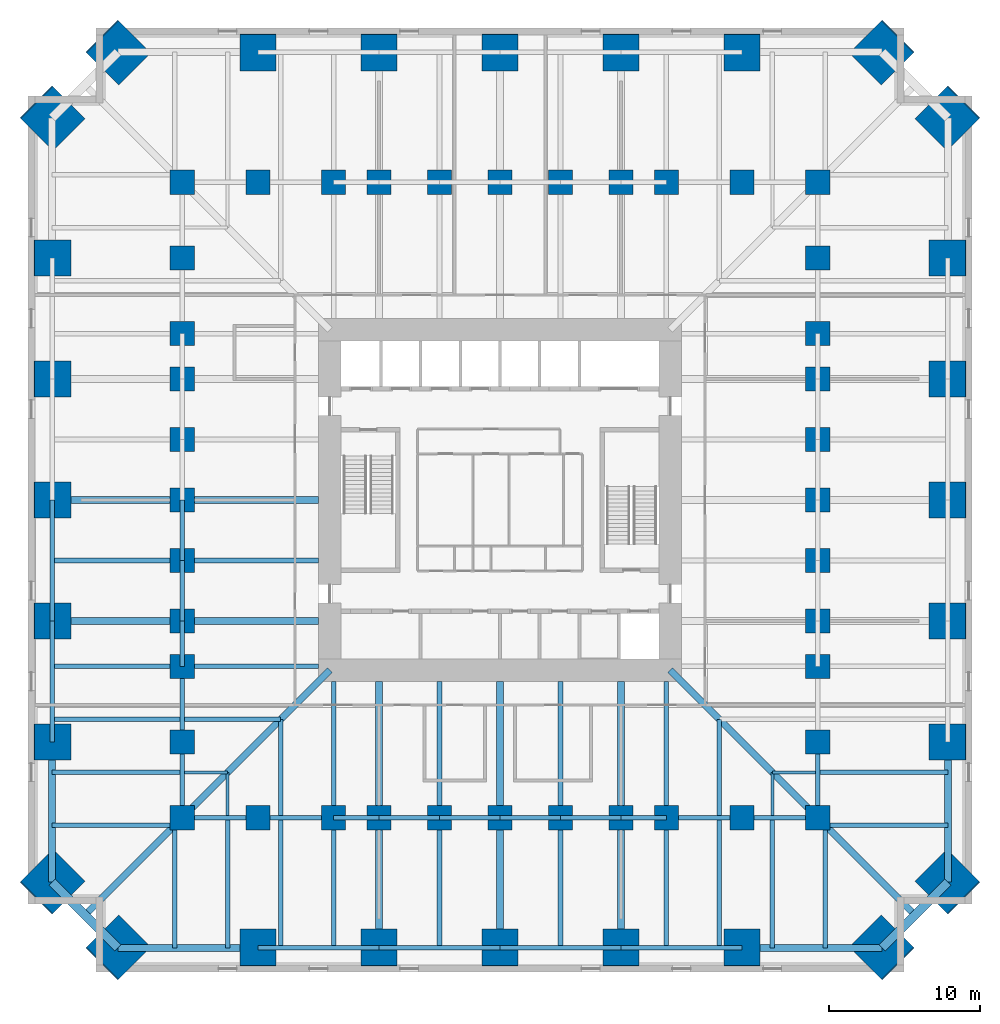
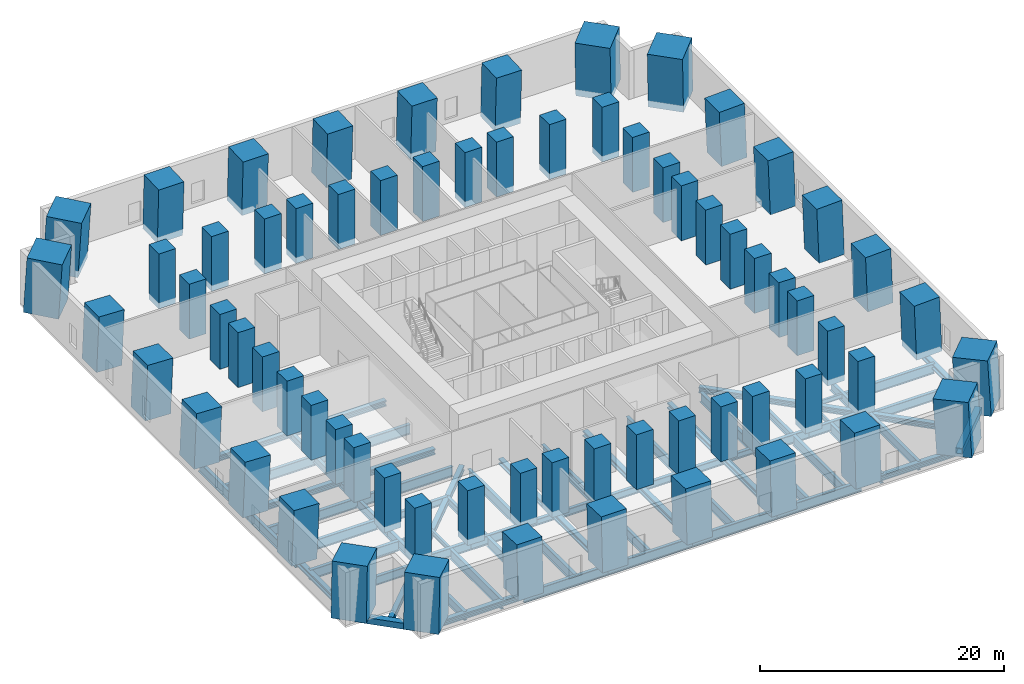
# One storey, part 1 of 8: 72 beams, 68 columns.
"""IFC4 building model written with IfcOpenShell, lengths in metres."""

from ifc_helpers import new_model, si_unit, direction, frame, origin, origin_2d, place, context, subcontext, project, spatial, rectangle, hollow_rectangle, i_section, extrude, material, material_profile, profile_set, type_object, element, save


model = new_model("IFC4")

# Units and contexts
model_context = context("Model", 3, precision=1e-05, world=origin(), true_north=direction((0.0, 1.0)))
body_context = subcontext(model_context, "Body", "Model", "MODEL_VIEW")
ifc_project = project(units=[si_unit("LENGTHUNIT", "METRE"), si_unit("AREAUNIT", "SQUARE_METRE"), si_unit("VOLUMEUNIT", "CUBIC_METRE"), si_unit("PLANEANGLEUNIT", "RADIAN"), si_unit("MASSUNIT", "GRAM", prefix="KILO")], contexts=[model_context])

# Site, building, storey
site_placement = place(None, origin())
site = spatial("IfcSite", under=ifc_project, at=site_placement, CompositionType="ELEMENT")
building_placement = place(site_placement, origin())
building = spatial("IfcBuilding", under=site, at=building_placement, Name="Peilmerk Tower", CompositionType="ELEMENT")
storey_placement = place(building_placement, frame((0.0, 0.0, 32.0)))
storey = spatial("IfcBuildingStorey", under=building, at=storey_placement, Name="L06", CompositionType="ELEMENT", Elevation=32.0)

# Columns
ifc_material_1 = material(Name="Concrete C90/105", Category="concrete")
ifc_material_profile_1 = material_profile(ifc_material_1, rectangle(XDim=3.0, YDim=3.0, at=origin_2d()), Name="RC 3000x3000")
ifc_profile_set_1 = profile_set([ifc_material_profile_1], Name="Concrete C90/105")
column_type_1 = type_object("IfcColumnType", Name="MC1 3000x3000 encased mega column", PredefinedType="COLUMN", material=ifc_profile_set_1)
for number, where, z_axis, x_axis, name in (
    (1, (25.25634765625, 29.6064453125, 0.0), (-0.040240079721, -0.040240079721, 0.998379422849), (0.707106781187, -0.707106781187, 0.0), "Mega column MC1 NE_N L06"),
    (2, (29.6064453125, 25.25634765625, 0.0), (-0.040240079721, -0.040240079721, 0.998379422849), (0.707106781187, -0.707106781187, 0.0), "Mega column MC1 NE_E L06"),
    (3, (29.6064453125, -25.25634765625, 0.0), (-0.040240079721, 0.040240079721, 0.998379422849), (-0.707106781187, -0.707106781187, 0.0), "Mega column MC1 SE_E L06"),
    (4, (25.25634765625, -29.6064453125, 0.0), (-0.040240079721, 0.040240079721, 0.998379422849), (-0.707106781187, -0.707106781187, 0.0), "Mega column MC1 SE_S L06"),
    (5, (-25.25634765625, -29.6064453125, 0.0), (0.040240079721, 0.040240079721, 0.998379422849), (-0.707106781187, 0.707106781187, 0.0), "Mega column MC1 SW_S L06"),
    (6, (-29.6064453125, -25.25634765625, 0.0), (0.040240079721, 0.040240079721, 0.998379422849), (-0.707106781187, 0.707106781187, 0.0), "Mega column MC1 SW_W L06"),
    (7, (-29.6064453125, 25.25634765625, 0.0), (0.040240079721, -0.040240079721, 0.998379422849), (0.707106781187, 0.707106781187, 0.0), "Mega column MC1 NW_W L06"),
    (8, (-25.25634765625, 29.6064453125, 0.0), (0.040240079721, -0.040240079721, 0.998379422849), (0.707106781187, 0.707106781187, 0.0), "Mega column MC1 NW_N L06"),
):
    element("IfcColumn", number, at=place(storey_placement, frame(where, z_axis=z_axis, x_axis=x_axis)), inside=storey, type_object=column_type_1, Name=name, PredefinedType="COLUMN", context=body_context, shape_type="SweptSolid", body=[
        extrude(rectangle(XDim=3.0, YDim=3.0, at=origin_2d()), origin(), (0.0, 0.0, 1.0), 5.509033203125),
    ])
ifc_material_profile_2 = material_profile(ifc_material_1, rectangle(XDim=2.39990234375, YDim=2.39990234375, at=origin_2d()), Name="RC 2400x2400")
ifc_profile_set_2 = profile_set([ifc_material_profile_2], Name="Concrete C90/105")
column_type_2 = type_object("IfcColumnType", Name="SC1 2400x2400 encased perimeter column", PredefinedType="COLUMN", material=ifc_profile_set_2)
for number, where, z_axis, x_axis, name in (
    (9, (0.0, 29.6064453125, 0.0), (0.0, -0.040272698997, 0.999188725775), (1.0, 0.0, 0.0), "Perimeter column N+0 L06"),
    (10, (8.0, 29.6064453125, 0.0), (0.0, -0.040272698997, 0.999188725775), (1.0, 0.0, 0.0), "Perimeter column N-8 L06"),
    (11, (-8.0, 29.6064453125, 0.0), (0.0, -0.040272698997, 0.999188725775), (1.0, 0.0, 0.0), "Perimeter column N+8 L06"),
    (12, (16.0, 29.6064453125, 0.0), (0.0, -0.040272698997, 0.999188725775), (1.0, 0.0, 0.0), "Perimeter column N-16 L06"),
    (13, (-16.0, 29.6064453125, 0.0), (0.0, -0.040272698997, 0.999188725775), (1.0, 0.0, 0.0), "Perimeter column N+16 L06"),
    (14, (29.6064453125, 0.0, 0.0), (-0.040272698997, 0.0, 0.999188725775), (0.0, -1.0, 0.0), "Perimeter column E+0 L06"),
    (15, (29.6064453125, -8.0, 0.0), (-0.040272698997, 0.0, 0.999188725775), (0.0, -1.0, 0.0), "Perimeter column E-8 L06"),
    (16, (29.6064453125, 8.0, 0.0), (-0.040272698997, 0.0, 0.999188725775), (0.0, -1.0, 0.0), "Perimeter column E+8 L06"),
    (17, (29.6064453125, -16.0, 0.0), (-0.040272698997, 0.0, 0.999188725775), (0.0, -1.0, 0.0), "Perimeter column E-16 L06"),
    (18, (29.6064453125, 16.0, 0.0), (-0.040272698997, 0.0, 0.999188725775), (0.0, -1.0, 0.0), "Perimeter column E+16 L06"),
    (19, (0.0, -29.6064453125, 0.0), (0.0, 0.040272698997, 0.999188725775), (-1.0, 0.0, 0.0), "Perimeter column S+0 L06"),
    (20, (-8.0, -29.6064453125, 0.0), (0.0, 0.040272698997, 0.999188725775), (-1.0, 0.0, 0.0), "Perimeter column S-8 L06"),
    (21, (8.0, -29.6064453125, 0.0), (0.0, 0.040272698997, 0.999188725775), (-1.0, 0.0, 0.0), "Perimeter column S+8 L06"),
    (22, (-16.0, -29.6064453125, 0.0), (0.0, 0.040272698997, 0.999188725775), (-1.0, 0.0, 0.0), "Perimeter column S-16 L06"),
    (23, (16.0, -29.6064453125, 0.0), (0.0, 0.040272698997, 0.999188725775), (-1.0, 0.0, 0.0), "Perimeter column S+16 L06"),
    (24, (-29.6064453125, 0.0, 0.0), (0.040272698997, 0.0, 0.999188725775), (0.0, 1.0, 0.0), "Perimeter column W+0 L06"),
    (25, (-29.6064453125, 8.0, 0.0), (0.040272698997, 0.0, 0.999188725775), (0.0, 1.0, 0.0), "Perimeter column W-8 L06"),
    (26, (-29.6064453125, -8.0, 0.0), (0.040272698997, 0.0, 0.999188725775), (0.0, 1.0, 0.0), "Perimeter column W+8 L06"),
    (27, (-29.6064453125, 16.0, 0.0), (0.040272698997, 0.0, 0.999188725775), (0.0, 1.0, 0.0), "Perimeter column W-16 L06"),
    (28, (-29.6064453125, -16.0, 0.0), (0.040272698997, 0.0, 0.999188725775), (0.0, 1.0, 0.0), "Perimeter column W+16 L06"),
):
    element("IfcColumn", number, at=place(storey_placement, frame(where, z_axis=z_axis, x_axis=x_axis)), inside=storey, type_object=column_type_2, Name=name, PredefinedType="COLUMN", context=body_context, shape_type="SweptSolid", body=[
        extrude(rectangle(XDim=2.39990234375, YDim=2.39990234375, at=origin_2d()), origin(), (0.0, 0.0, 1.0), 5.50439453125),
    ])
ifc_material_profile_3 = material_profile(ifc_material_1, rectangle(XDim=1.60009765625, YDim=1.60009765625, at=origin_2d()), Name="RC 1600x1600")
ifc_profile_set_3 = profile_set([ifc_material_profile_3], Name="Concrete C90/105")
column_type_3 = type_object("IfcColumnType", Name="SC2 1600x1600 encased interior column", PredefinedType="COLUMN", material=ifc_profile_set_3)
for number, where, z_axis, x_axis, name in (
    (29, (0.0, 21.0, 0.0), (0.0, 0.0, 1.0), (1.0, 0.0, 0.0), "Interior column N+0 L06"),
    (30, (4.0, 21.0, 0.0), (0.0, 0.0, 1.0), (1.0, 0.0, 0.0), "Interior column N-4 L06"),
    (31, (-4.0, 21.0, 0.0), (0.0, 0.0, 1.0), (1.0, 0.0, 0.0), "Interior column N+4 L06"),
    (32, (8.0, 21.0, 0.0), (0.0, 0.0, 1.0), (1.0, 0.0, 0.0), "Interior column N-8 L06"),
    (33, (-8.0, 21.0, 0.0), (0.0, 0.0, 1.0), (1.0, 0.0, 0.0), "Interior column N+8 L06"),
    (34, (11.0, 21.0, 0.0), (0.0, 0.0, 1.0), (1.0, 0.0, 0.0), "Interior column N-11 L06"),
    (35, (-11.0, 21.0, 0.0), (0.0, 0.0, 1.0), (1.0, 0.0, 0.0), "Interior column N+11 L06"),
    (36, (16.0, 21.0, 0.0), (0.0, 0.0, 1.0), (1.0, 0.0, 0.0), "Interior column N-16 L06"),
    (37, (-16.0, 21.0, 0.0), (0.0, 0.0, 1.0), (1.0, 0.0, 0.0), "Interior column N+16 L06"),
    (38, (21.0, 0.0, 0.0), (0.0, 0.0, 1.0), (1.0, 0.0, 0.0), "Interior column E+0 L06"),
    (39, (21.0, -4.0, 0.0), (0.0, 0.0, 1.0), (1.0, 0.0, 0.0), "Interior column E-4 L06"),
    (40, (21.0, 4.0, 0.0), (0.0, 0.0, 1.0), (1.0, 0.0, 0.0), "Interior column E+4 L06"),
    (41, (21.0, -8.0, 0.0), (0.0, 0.0, 1.0), (1.0, 0.0, 0.0), "Interior column E-8 L06"),
    (42, (21.0, 8.0, 0.0), (0.0, 0.0, 1.0), (1.0, 0.0, 0.0), "Interior column E+8 L06"),
    (43, (21.0, -11.0, 0.0), (0.0, 0.0, 1.0), (1.0, 0.0, 0.0), "Interior column E-11 L06"),
    (44, (21.0, 11.0, 0.0), (0.0, 0.0, 1.0), (1.0, 0.0, 0.0), "Interior column E+11 L06"),
    (45, (21.0, -16.0, 0.0), (0.0, 0.0, 1.0), (1.0, 0.0, 0.0), "Interior column E-16 L06"),
    (46, (21.0, 16.0, 0.0), (0.0, 0.0, 1.0), (1.0, 0.0, 0.0), "Interior column E+16 L06"),
    (47, (0.0, -21.0, 0.0), (0.0, 0.0, 1.0), (1.0, 0.0, 0.0), "Interior column S+0 L06"),
    (48, (-4.0, -21.0, 0.0), (0.0, 0.0, 1.0), (1.0, 0.0, 0.0), "Interior column S-4 L06"),
    (49, (4.0, -21.0, 0.0), (0.0, 0.0, 1.0), (1.0, 0.0, 0.0), "Interior column S+4 L06"),
    (50, (-8.0, -21.0, 0.0), (0.0, 0.0, 1.0), (1.0, 0.0, 0.0), "Interior column S-8 L06"),
    (51, (8.0, -21.0, 0.0), (0.0, 0.0, 1.0), (1.0, 0.0, 0.0), "Interior column S+8 L06"),
    (52, (-11.0, -21.0, 0.0), (0.0, 0.0, 1.0), (1.0, 0.0, 0.0), "Interior column S-11 L06"),
    (53, (11.0, -21.0, 0.0), (0.0, 0.0, 1.0), (1.0, 0.0, 0.0), "Interior column S+11 L06"),
    (54, (-16.0, -21.0, 0.0), (0.0, 0.0, 1.0), (1.0, 0.0, 0.0), "Interior column S-16 L06"),
    (55, (16.0, -21.0, 0.0), (0.0, 0.0, 1.0), (1.0, 0.0, 0.0), "Interior column S+16 L06"),
    (56, (-21.0, 0.0, 0.0), (0.0, 0.0, 1.0), (1.0, 0.0, 0.0), "Interior column W+0 L06"),
    (57, (-21.0, 4.0, 0.0), (0.0, 0.0, 1.0), (1.0, 0.0, 0.0), "Interior column W-4 L06"),
    (58, (-21.0, -4.0, 0.0), (0.0, 0.0, 1.0), (1.0, 0.0, 0.0), "Interior column W+4 L06"),
    (59, (-21.0, 8.0, 0.0), (0.0, 0.0, 1.0), (1.0, 0.0, 0.0), "Interior column W-8 L06"),
    (60, (-21.0, -8.0, 0.0), (0.0, 0.0, 1.0), (1.0, 0.0, 0.0), "Interior column W+8 L06"),
    (61, (-21.0, 11.0, 0.0), (0.0, 0.0, 1.0), (1.0, 0.0, 0.0), "Interior column W-11 L06"),
    (62, (-21.0, -11.0, 0.0), (0.0, 0.0, 1.0), (1.0, 0.0, 0.0), "Interior column W+11 L06"),
    (63, (-21.0, 16.0, 0.0), (0.0, 0.0, 1.0), (1.0, 0.0, 0.0), "Interior column W-16 L06"),
    (64, (-21.0, -16.0, 0.0), (0.0, 0.0, 1.0), (1.0, 0.0, 0.0), "Interior column W+16 L06"),
    (65, (21.0, 21.0, 0.0), (0.0, 0.0, 1.0), (1.0, 0.0, 0.0), "Interior column NE L06"),
    (66, (21.0, -21.0, 0.0), (0.0, 0.0, 1.0), (1.0, 0.0, 0.0), "Interior column SE L06"),
    (67, (-21.0, -21.0, 0.0), (0.0, 0.0, 1.0), (1.0, 0.0, 0.0), "Interior column SW L06"),
    (68, (-21.0, 21.0, 0.0), (0.0, 0.0, 1.0), (1.0, 0.0, 0.0), "Interior column NW L06"),
):
    element("IfcColumn", number, at=place(storey_placement, frame(where, z_axis=z_axis, x_axis=x_axis)), inside=storey, type_object=column_type_3, Name=name, PredefinedType="COLUMN", context=body_context, shape_type="SweptSolid", body=[
        extrude(rectangle(XDim=1.60009765625, YDim=1.60009765625, at=origin_2d()), origin(), (0.0, 0.0, 1.0), 5.5),
    ])

# Beams
ifc_material_2 = material(Name="Steel S355", Category="steel")
ifc_material_profile_4 = material_profile(ifc_material_2, i_section(OverallWidth=0.302001953125, OverallDepth=1.008056640625, WebThickness=0.02099609375, FlangeThickness=0.0400390625, at=origin_2d()), Name="HEM 1000")
ifc_profile_set_4 = profile_set([ifc_material_profile_4], Name="Steel S355")
beam_type_1 = type_object("IfcBeamType", Name="B1 HEM 1000 edge beam", PredefinedType="SPANDREL", material=ifc_profile_set_4)
for number, where, z_axis, x_axis, name in (
    (69, (-16.0, -29.6064453125, -0.7041015625), (1.0, 0.0, 0.0), (0.0, 1.0, 0.0), "Edge beam L06"),
    (70, (-8.0, -29.6064453125, -0.7041015625), (1.0, 0.0, 0.0), (0.0, 1.0, 0.0), "Edge beam L06"),
    (71, (0.0, -29.6064453125, -0.7041015625), (1.0, 0.0, 0.0), (0.0, 1.0, 0.0), "Edge beam L06"),
    (72, (8.0, -29.6064453125, -0.7041015625), (1.0, 0.0, 0.0), (0.0, 1.0, 0.0), "Edge beam L06"),
    (73, (-29.6064453125, 0.0, -0.7041015625), (0.0, -1.0, 0.0), (1.0, 0.0, 0.0), "Edge beam L06"),
    (74, (-29.6064453125, -8.0, -0.7041015625), (0.0, -1.0, 0.0), (1.0, 0.0, 0.0), "Edge beam L06"),
):
    element("IfcBeam", number, at=place(storey_placement, frame(where, z_axis=z_axis, x_axis=x_axis)), inside=storey, type_object=beam_type_1, Name=name, PredefinedType="SPANDREL", context=body_context, shape_type="SweptSolid", body=[
        extrude(i_section(OverallWidth=0.302001953125, OverallDepth=1.008056640625, WebThickness=0.02099609375, FlangeThickness=0.0400390625, at=origin_2d()), origin(), (0.0, 0.0, 1.0), 8.0),
    ])
ifc_material_profile_5 = material_profile(ifc_material_2, i_section(OverallWidth=0.300048828125, OverallDepth=0.989990234375, WebThickness=0.0166015625, FlangeThickness=0.031005859375, at=origin_2d()), Name="HEA 1000")
ifc_profile_set_5 = profile_set([ifc_material_profile_5], Name="Steel S355")
beam_type_2 = type_object("IfcBeamType", Name="B14 HEA 1000 floor girder", PredefinedType="BEAM", material=ifc_profile_set_5)
for number, where, z_axis, x_axis, name in (
    (75, (-11.0, -21.0, -0.695068359375), (0.0, -1.0, 0.0), (1.0, 0.0, 0.0), "Floor beam L06"),
    (76, (-4.0, -21.0, -0.695068359375), (0.0, -1.0, 0.0), (1.0, 0.0, 0.0), "Floor beam L06"),
    (77, (4.0, -21.0, -0.695068359375), (0.0, -1.0, 0.0), (1.0, 0.0, 0.0), "Floor beam L06"),
    (78, (11.0, -21.0, -0.695068359375), (0.0, -1.0, 0.0), (1.0, 0.0, 0.0), "Floor beam L06"),
    (79, (-21.0, -4.0, -0.695068359375), (-1.0, 0.0, 0.0), (0.0, -1.0, 0.0), "Floor beam L06"),
    (80, (-21.0, -11.0, -0.695068359375), (-1.0, 0.0, 0.0), (0.0, -1.0, 0.0), "Floor beam L06"),
):
    element("IfcBeam", number, at=place(storey_placement, frame(where, z_axis=z_axis, x_axis=x_axis)), inside=storey, type_object=beam_type_2, Name=name, PredefinedType="BEAM", context=body_context, shape_type="SweptSolid", body=[
        extrude(i_section(OverallWidth=0.300048828125, OverallDepth=0.989990234375, WebThickness=0.0166015625, FlangeThickness=0.031005859375, at=origin_2d()), origin(), (0.0, 0.0, 1.0), 8.6064453125),
    ])
for number, where, z_axis, x_axis, name in (
    (81, (14.5, -21.15087890625, -0.695068359375), (0.0, -1.0, 0.0), (1.0, 0.0, 0.0), "Floor beam L06"),
    (82, (18.0, -21.15087890625, -0.695068359375), (0.0, -1.0, 0.0), (1.0, 0.0, 0.0), "Floor beam L06"),
    (83, (21.15087890625, -18.0, -0.695068359375), (1.0, 0.0, 0.0), (0.0, 1.0, 0.0), "Floor beam L06"),
    (84, (-14.5, -21.15087890625, -0.695068359375), (0.0, -1.0, 0.0), (1.0, 0.0, 0.0), "Floor beam L06"),
    (85, (-21.15087890625, -14.5, -0.695068359375), (-1.0, 0.0, 0.0), (0.0, -1.0, 0.0), "Floor beam L06"),
    (86, (-18.0, -21.15087890625, -0.695068359375), (0.0, -1.0, 0.0), (1.0, 0.0, 0.0), "Floor beam L06"),
    (87, (-21.15087890625, -18.0, -0.695068359375), (-1.0, 0.0, 0.0), (0.0, -1.0, 0.0), "Floor beam L06"),
):
    element("IfcBeam", number, at=place(storey_placement, frame(where, z_axis=z_axis, x_axis=x_axis)), inside=storey, type_object=beam_type_2, Name=name, PredefinedType="BEAM", context=body_context, shape_type="SweptSolid", body=[
        extrude(i_section(OverallWidth=0.300048828125, OverallDepth=0.989990234375, WebThickness=0.0166015625, FlangeThickness=0.031005859375, at=origin_2d()), origin(), (0.0, 0.0, 1.0), 8.45556640625),
    ])
ifc_material_profile_6 = material_profile(ifc_material_2, i_section(OverallWidth=0.300048828125, OverallDepth=0.68994140625, WebThickness=0.014404296875, FlangeThickness=0.027099609375, at=origin_2d()), Name="HEA 700")
ifc_profile_set_6 = profile_set([ifc_material_profile_6], Name="Steel S355")
beam_type_3 = type_object("IfcBeamType", Name="B16 HEA 700 floor beam", PredefinedType="BEAM", material=ifc_profile_set_6)
for number, where, z_axis, x_axis, name in (
    (88, (14.5, -14.5, -0.544921875), (0.0, -1.0, 0.0), (1.0, 0.0, 0.0), "Floor beam L06"),
    (89, (-14.5, -14.5, -0.544921875), (0.0, -1.0, 0.0), (1.0, 0.0, 0.0), "Floor beam L06"),
    (90, (-14.5, -14.5, -0.544921875), (-1.0, 0.0, 0.0), (0.0, -1.0, 0.0), "Floor beam L06"),
):
    element("IfcBeam", number, at=place(storey_placement, frame(where, z_axis=z_axis, x_axis=x_axis)), inside=storey, type_object=beam_type_3, Name=name, PredefinedType="BEAM", context=body_context, shape_type="SweptSolid", body=[
        extrude(i_section(OverallWidth=0.300048828125, OverallDepth=0.68994140625, WebThickness=0.014404296875, FlangeThickness=0.027099609375, at=origin_2d()), origin(), (0.0, 0.0, 1.0), 6.34912109375),
    ])
ifc_material_3 = material(Name="Steel S460", Category="steel")
ifc_material_profile_7 = material_profile(ifc_material_3, i_section(OverallWidth=0.4541015625, OverallDepth=0.569091796875, WebThickness=0.077880859375, FlangeThickness=0.125, at=origin_2d()), Name="HD 400x1086")
ifc_profile_set_7 = profile_set([ifc_material_profile_7], Name="Steel S460")
beam_type_4 = type_object("IfcBeamType", Name="B17 HD 400x1086 edge beam", PredefinedType="SPANDREL", material=ifc_profile_set_7)
for number, where, z_axis, x_axis, name in (
    (91, (29.6064453125, -25.25634765625, -0.484619140625), (0.0, 1.0, 0.0), (-1.0, 0.0, 0.0), "Edge beam L06"),
    (92, (-25.25634765625, -29.6064453125, -0.484619140625), (1.0, 0.0, 0.0), (0.0, 1.0, 0.0), "Edge beam L06"),
    (93, (16.0, -29.6064453125, -0.484619140625), (1.0, 0.0, 0.0), (0.0, 1.0, 0.0), "Edge beam L06"),
    (94, (-29.6064453125, -16.0, -0.484619140625), (0.0, -1.0, 0.0), (1.0, 0.0, 0.0), "Edge beam L06"),
):
    element("IfcBeam", number, at=place(storey_placement, frame(where, z_axis=z_axis, x_axis=x_axis)), inside=storey, type_object=beam_type_4, Name=name, PredefinedType="SPANDREL", context=body_context, shape_type="SweptSolid", body=[
        extrude(i_section(OverallWidth=0.4541015625, OverallDepth=0.569091796875, WebThickness=0.077880859375, FlangeThickness=0.125, at=origin_2d()), origin(), (0.0, 0.0, 1.0), 9.25634765625),
    ])
ifc_material_profile_8 = material_profile(ifc_material_2, i_section(OverallWidth=0.302001953125, OverallDepth=0.909912109375, WebThickness=0.02099609375, FlangeThickness=0.0400390625, at=origin_2d()), Name="HEM 900")
ifc_profile_set_8 = profile_set([ifc_material_profile_8], Name="Steel S355")
beam_type_5 = type_object("IfcBeamType", Name="B18 HEM 900 ring girder", PredefinedType="BEAM", material=ifc_profile_set_8)
for number, where, z_axis, x_axis, name in (
    (95, (21.0, -21.0, -0.655029296875), (0.0, 1.0, 0.0), (-1.0, 0.0, 0.0), "Ring girder L06"),
    (96, (-21.0, -21.0, -0.655029296875), (1.0, 0.0, 0.0), (0.0, 1.0, 0.0), "Ring girder L06"),
    (97, (-16.0, -21.0, -0.655029296875), (1.0, 0.0, 0.0), (0.0, 1.0, 0.0), "Ring girder L06"),
    (98, (11.0, -21.0, -0.655029296875), (1.0, 0.0, 0.0), (0.0, 1.0, 0.0), "Ring girder L06"),
    (99, (16.0, -21.0, -0.655029296875), (1.0, 0.0, 0.0), (0.0, 1.0, 0.0), "Ring girder L06"),
    (100, (-21.0, -11.0, -0.655029296875), (0.0, -1.0, 0.0), (1.0, 0.0, 0.0), "Ring girder L06"),
    (101, (-21.0, -16.0, -0.655029296875), (0.0, -1.0, 0.0), (1.0, 0.0, 0.0), "Ring girder L06"),
):
    element("IfcBeam", number, at=place(storey_placement, frame(where, z_axis=z_axis, x_axis=x_axis)), inside=storey, type_object=beam_type_5, Name=name, PredefinedType="BEAM", context=body_context, shape_type="SweptSolid", body=[
        extrude(i_section(OverallWidth=0.302001953125, OverallDepth=0.909912109375, WebThickness=0.02099609375, FlangeThickness=0.0400390625, at=origin_2d()), origin(), (0.0, 0.0, 1.0), 5.0),
    ])
ifc_material_profile_9 = material_profile(ifc_material_2, i_section(OverallWidth=0.303955078125, OverallDepth=0.716064453125, WebThickness=0.02099609375, FlangeThickness=0.0400390625, at=origin_2d()), Name="HEM 700")
ifc_profile_set_9 = profile_set([ifc_material_profile_9], Name="Steel S355")
beam_type_6 = type_object("IfcBeamType", Name="B19 HEM 700 ring girder", PredefinedType="BEAM", material=ifc_profile_set_9)
for number, where, z_axis, x_axis, name in (
    (102, (-8.0, -21.0, -0.55810546875), (1.0, 0.0, 0.0), (0.0, 1.0, 0.0), "Ring girder L06"),
    (103, (-4.0, -21.0, -0.55810546875), (1.0, 0.0, 0.0), (0.0, 1.0, 0.0), "Ring girder L06"),
    (104, (0.0, -21.0, -0.55810546875), (1.0, 0.0, 0.0), (0.0, 1.0, 0.0), "Ring girder L06"),
    (105, (4.0, -21.0, -0.55810546875), (1.0, 0.0, 0.0), (0.0, 1.0, 0.0), "Ring girder L06"),
    (106, (-21.0, 0.0, -0.55810546875), (0.0, -1.0, 0.0), (1.0, 0.0, 0.0), "Ring girder L06"),
    (107, (-21.0, -4.0, -0.55810546875), (0.0, -1.0, 0.0), (1.0, 0.0, 0.0), "Ring girder L06"),
):
    element("IfcBeam", number, at=place(storey_placement, frame(where, z_axis=z_axis, x_axis=x_axis)), inside=storey, type_object=beam_type_6, Name=name, PredefinedType="BEAM", context=body_context, shape_type="SweptSolid", body=[
        extrude(i_section(OverallWidth=0.303955078125, OverallDepth=0.716064453125, WebThickness=0.02099609375, FlangeThickness=0.0400390625, at=origin_2d()), origin(), (0.0, 0.0, 1.0), 4.0),
    ])
ifc_material_profile_10 = material_profile(ifc_material_3, hollow_rectangle(XDim=0.60009765625, YDim=0.60009765625, WallThickness=0.06005859375, at=origin_2d()), Name="BOX 600x600x60")
ifc_profile_set_10 = profile_set([ifc_material_profile_10], Name="Steel S460")
beam_type_7 = type_object("IfcBeamType", Name="B20 BOX 600x600x60 notch beam", PredefinedType="SPANDREL", material=ifc_profile_set_10)
for number, where, z_axis, x_axis, name in (
    (108, (29.6064453125, -25.25634765625, -0.5), (-0.707106781187, -0.707106781187, 0.0), (0.707106781187, -0.707106781187, 0.0), "Notch beam L06"),
    (109, (-25.25634765625, -29.6064453125, -0.5), (-0.707106781187, 0.707106781187, 0.0), (-0.707106781187, -0.707106781187, 0.0), "Notch beam L06"),
):
    element("IfcBeam", number, at=place(storey_placement, frame(where, z_axis=z_axis, x_axis=x_axis)), inside=storey, type_object=beam_type_7, Name=name, PredefinedType="SPANDREL", context=body_context, shape_type="SweptSolid", body=[
        extrude(hollow_rectangle(XDim=0.60009765625, YDim=0.60009765625, WallThickness=0.06005859375, at=origin_2d()), origin(), (0.0, 0.0, 1.0), 6.15185546875),
    ])
ifc_material_profile_11 = material_profile(ifc_material_2, i_section(OverallWidth=0.18994140625, OverallDepth=0.449951171875, WebThickness=0.009521484375, FlangeThickness=0.0146484375, at=origin_2d()), Name="IPE 450")
ifc_profile_set_11 = profile_set([ifc_material_profile_11], Name="Steel S355")
beam_type_8 = type_object("IfcBeamType", Name="B21 IPE 450 floor beam", PredefinedType="BEAM", material=ifc_profile_set_11)
for number, where, z_axis, x_axis, name in (
    (110, (18.0, -18.0, -0.425048828125), (0.0, -1.0, 0.0), (1.0, 0.0, 0.0), "Floor beam L06"),
    (111, (18.0, -18.0, -0.425048828125), (1.0, 0.0, 0.0), (0.0, 1.0, 0.0), "Floor beam L06"),
    (112, (-18.0, -18.0, -0.425048828125), (0.0, -1.0, 0.0), (1.0, 0.0, 0.0), "Floor beam L06"),
    (113, (-18.0, -18.0, -0.425048828125), (-1.0, 0.0, 0.0), (0.0, -1.0, 0.0), "Floor beam L06"),
):
    element("IfcBeam", number, at=place(storey_placement, frame(where, z_axis=z_axis, x_axis=x_axis)), inside=storey, type_object=beam_type_8, Name=name, PredefinedType="BEAM", context=body_context, shape_type="SweptSolid", body=[
        extrude(i_section(OverallWidth=0.18994140625, OverallDepth=0.449951171875, WebThickness=0.009521484375, FlangeThickness=0.0146484375, at=origin_2d()), origin(), (0.0, 0.0, 1.0), 2.84912109375),
    ])
ifc_material_profile_12 = material_profile(ifc_material_2, i_section(OverallWidth=0.300048828125, OverallDepth=0.889892578125, WebThickness=0.01611328125, FlangeThickness=0.030029296875, at=origin_2d()), Name="HEA 900")
ifc_profile_set_12 = profile_set([ifc_material_profile_12], Name="Steel S355")
beam_type_9 = type_object("IfcBeamType", Name="B4 HEA 900 floor beam", PredefinedType="BEAM", material=ifc_profile_set_12)
for number, where, z_axis, x_axis, name in (
    (114, (21.5, -21.5, -0.64501953125), (0.0, -1.0, 0.0), (1.0, 0.0, 0.0), "Floor beam L06"),
    (115, (21.5, -21.5, -0.64501953125), (1.0, 0.0, 0.0), (0.0, 1.0, 0.0), "Floor beam L06"),
    (116, (-21.5, -21.5, -0.64501953125), (0.0, -1.0, 0.0), (1.0, 0.0, 0.0), "Floor beam L06"),
    (117, (-21.5, -21.5, -0.64501953125), (-1.0, 0.0, 0.0), (0.0, -1.0, 0.0), "Floor beam L06"),
):
    element("IfcBeam", number, at=place(storey_placement, frame(where, z_axis=z_axis, x_axis=x_axis)), inside=storey, type_object=beam_type_9, Name=name, PredefinedType="BEAM", context=body_context, shape_type="SweptSolid", body=[
        extrude(i_section(OverallWidth=0.300048828125, OverallDepth=0.889892578125, WebThickness=0.01611328125, FlangeThickness=0.030029296875, at=origin_2d()), origin(), (0.0, 0.0, 1.0), 8.1064453125),
    ])
ifc_material_profile_13 = material_profile(ifc_material_2, i_section(OverallWidth=0.300048828125, OverallDepth=1.0, WebThickness=0.01904296875, FlangeThickness=0.035888671875, at=origin_2d()), Name="HEB 1000")
ifc_profile_set_13 = profile_set([ifc_material_profile_13], Name="Steel S355")
beam_type_10 = type_object("IfcBeamType", Name="B5 HEB 1000 floor girder", PredefinedType="BEAM", material=ifc_profile_set_13)
for number, where, z_axis, x_axis, name in (
    (118, (-11.0, -12.0, -0.699951171875), (0.0, -1.0, 0.0), (1.0, 0.0, 0.0), "Floor beam L06"),
    (119, (-4.0, -12.0, -0.699951171875), (0.0, -1.0, 0.0), (1.0, 0.0, 0.0), "Floor beam L06"),
    (120, (4.0, -12.0, -0.699951171875), (0.0, -1.0, 0.0), (1.0, 0.0, 0.0), "Floor beam L06"),
    (121, (11.0, -12.0, -0.699951171875), (0.0, -1.0, 0.0), (1.0, 0.0, 0.0), "Floor beam L06"),
    (122, (-12.0, -4.0, -0.699951171875), (-1.0, 0.0, 0.0), (0.0, -1.0, 0.0), "Floor beam L06"),
    (123, (-12.0, -11.0, -0.699951171875), (-1.0, 0.0, 0.0), (0.0, -1.0, 0.0), "Floor beam L06"),
):
    element("IfcBeam", number, at=place(storey_placement, frame(where, z_axis=z_axis, x_axis=x_axis)), inside=storey, type_object=beam_type_10, Name=name, PredefinedType="BEAM", context=body_context, shape_type="SweptSolid", body=[
        extrude(i_section(OverallWidth=0.300048828125, OverallDepth=1.0, WebThickness=0.01904296875, FlangeThickness=0.035888671875, at=origin_2d()), origin(), (0.0, 0.0, 1.0), 9.0),
    ])
ifc_material_profile_14 = material_profile(ifc_material_2, i_section(OverallWidth=0.304931640625, OverallDepth=0.6201171875, WebThickness=0.02099609375, FlangeThickness=0.0400390625, at=origin_2d()), Name="HEM 600")
ifc_profile_set_14 = profile_set([ifc_material_profile_14], Name="Steel S355")
beam_type_11 = type_object("IfcBeamType", Name="B6 HEM 600 ring girder", PredefinedType="BEAM", material=ifc_profile_set_14)
for number, where, z_axis, x_axis, name in (
    (124, (-11.0, -21.0, -0.510009765625), (1.0, 0.0, 0.0), (0.0, 1.0, 0.0), "Ring girder L06"),
    (125, (8.0, -21.0, -0.510009765625), (1.0, 0.0, 0.0), (0.0, 1.0, 0.0), "Ring girder L06"),
    (126, (-21.0, -8.0, -0.510009765625), (0.0, -1.0, 0.0), (1.0, 0.0, 0.0), "Ring girder L06"),
):
    element("IfcBeam", number, at=place(storey_placement, frame(where, z_axis=z_axis, x_axis=x_axis)), inside=storey, type_object=beam_type_11, Name=name, PredefinedType="BEAM", context=body_context, shape_type="SweptSolid", body=[
        extrude(i_section(OverallWidth=0.304931640625, OverallDepth=0.6201171875, WebThickness=0.02099609375, FlangeThickness=0.0400390625, at=origin_2d()), origin(), (0.0, 0.0, 1.0), 3.0),
    ])
ifc_material_profile_15 = material_profile(ifc_material_3, i_section(OverallWidth=0.4541015625, OverallDepth=0.569091796875, WebThickness=0.077880859375, FlangeThickness=0.125, at=origin_2d()), Name="HD 400x1086")
ifc_profile_set_15 = profile_set([ifc_material_profile_15], Name="Steel S460")
beam_type_12 = type_object("IfcBeamType", Name="B9 HD 400x1086 corner girder", PredefinedType="BEAM", material=ifc_profile_set_15)
beam_1_placement = place(storey_placement, frame((-8.0, -12.0, -0.484619140625), z_axis=(0.0, -1.0, 0.0), x_axis=(1.0, 0.0, 0.0)))
element("IfcBeam", 127, at=beam_1_placement, inside=storey, type_object=beam_type_12, Name="Floor girder L06", PredefinedType="BEAM", context=body_context, shape_type="SweptSolid", body=[
    extrude(i_section(OverallWidth=0.4541015625, OverallDepth=0.569091796875, WebThickness=0.077880859375, FlangeThickness=0.125, at=origin_2d()), origin(), (0.0, 0.0, 1.0), 9.0),
])
beam_2_placement = place(storey_placement, frame((-8.0, -21.0, -0.484619140625), z_axis=(0.0, -1.0, 0.0), x_axis=(1.0, 0.0, 0.0)))
element("IfcBeam", 128, at=beam_2_placement, inside=storey, type_object=beam_type_12, Name="Floor girder L06", PredefinedType="BEAM", context=body_context, shape_type="SweptSolid", body=[
    extrude(i_section(OverallWidth=0.4541015625, OverallDepth=0.569091796875, WebThickness=0.077880859375, FlangeThickness=0.125, at=origin_2d()), origin(), (0.0, 0.0, 1.0), 8.6064453125),
])
beam_3_placement = place(storey_placement, frame((0.0, -12.0, -0.484619140625), z_axis=(0.0, -1.0, 0.0), x_axis=(1.0, 0.0, 0.0)))
element("IfcBeam", 129, at=beam_3_placement, inside=storey, type_object=beam_type_12, Name="Floor girder L06", PredefinedType="BEAM", context=body_context, shape_type="SweptSolid", body=[
    extrude(i_section(OverallWidth=0.4541015625, OverallDepth=0.569091796875, WebThickness=0.077880859375, FlangeThickness=0.125, at=origin_2d()), origin(), (0.0, 0.0, 1.0), 9.0),
])
beam_4_placement = place(storey_placement, frame((0.0, -21.0, -0.484619140625), z_axis=(0.0, -1.0, 0.0), x_axis=(1.0, 0.0, 0.0)))
element("IfcBeam", 130, at=beam_4_placement, inside=storey, type_object=beam_type_12, Name="Floor girder L06", PredefinedType="BEAM", context=body_context, shape_type="SweptSolid", body=[
    extrude(i_section(OverallWidth=0.4541015625, OverallDepth=0.569091796875, WebThickness=0.077880859375, FlangeThickness=0.125, at=origin_2d()), origin(), (0.0, 0.0, 1.0), 8.6064453125),
])
beam_5_placement = place(storey_placement, frame((8.0, -12.0, -0.484619140625), z_axis=(0.0, -1.0, 0.0), x_axis=(1.0, 0.0, 0.0)))
element("IfcBeam", 131, at=beam_5_placement, inside=storey, type_object=beam_type_12, Name="Floor girder L06", PredefinedType="BEAM", context=body_context, shape_type="SweptSolid", body=[
    extrude(i_section(OverallWidth=0.4541015625, OverallDepth=0.569091796875, WebThickness=0.077880859375, FlangeThickness=0.125, at=origin_2d()), origin(), (0.0, 0.0, 1.0), 9.0),
])
beam_6_placement = place(storey_placement, frame((8.0, -21.0, -0.484619140625), z_axis=(0.0, -1.0, 0.0), x_axis=(1.0, 0.0, 0.0)))
element("IfcBeam", 132, at=beam_6_placement, inside=storey, type_object=beam_type_12, Name="Floor girder L06", PredefinedType="BEAM", context=body_context, shape_type="SweptSolid", body=[
    extrude(i_section(OverallWidth=0.4541015625, OverallDepth=0.569091796875, WebThickness=0.077880859375, FlangeThickness=0.125, at=origin_2d()), origin(), (0.0, 0.0, 1.0), 8.6064453125),
])
beam_7_placement = place(storey_placement, frame((-12.0, 0.0, -0.484619140625), z_axis=(-1.0, 0.0, 0.0), x_axis=(0.0, -1.0, 0.0)))
element("IfcBeam", 133, at=beam_7_placement, inside=storey, type_object=beam_type_12, Name="Floor girder L06", PredefinedType="BEAM", context=body_context, shape_type="SweptSolid", body=[
    extrude(i_section(OverallWidth=0.4541015625, OverallDepth=0.569091796875, WebThickness=0.077880859375, FlangeThickness=0.125, at=origin_2d()), origin(), (0.0, 0.0, 1.0), 9.0),
])
beam_8_placement = place(storey_placement, frame((-21.0, 0.0, -0.484619140625), z_axis=(-1.0, 0.0, 0.0), x_axis=(0.0, -1.0, 0.0)))
element("IfcBeam", 134, at=beam_8_placement, inside=storey, type_object=beam_type_12, Name="Floor girder L06", PredefinedType="BEAM", context=body_context, shape_type="SweptSolid", body=[
    extrude(i_section(OverallWidth=0.4541015625, OverallDepth=0.569091796875, WebThickness=0.077880859375, FlangeThickness=0.125, at=origin_2d()), origin(), (0.0, 0.0, 1.0), 8.6064453125),
])
beam_9_placement = place(storey_placement, frame((-12.0, -8.0, -0.484619140625), z_axis=(-1.0, 0.0, 0.0), x_axis=(0.0, -1.0, 0.0)))
element("IfcBeam", 135, at=beam_9_placement, inside=storey, type_object=beam_type_12, Name="Floor girder L06", PredefinedType="BEAM", context=body_context, shape_type="SweptSolid", body=[
    extrude(i_section(OverallWidth=0.4541015625, OverallDepth=0.569091796875, WebThickness=0.077880859375, FlangeThickness=0.125, at=origin_2d()), origin(), (0.0, 0.0, 1.0), 9.0),
])
beam_10_placement = place(storey_placement, frame((-21.0, -8.0, -0.484619140625), z_axis=(-1.0, 0.0, 0.0), x_axis=(0.0, -1.0, 0.0)))
element("IfcBeam", 136, at=beam_10_placement, inside=storey, type_object=beam_type_12, Name="Floor girder L06", PredefinedType="BEAM", context=body_context, shape_type="SweptSolid", body=[
    extrude(i_section(OverallWidth=0.4541015625, OverallDepth=0.569091796875, WebThickness=0.077880859375, FlangeThickness=0.125, at=origin_2d()), origin(), (0.0, 0.0, 1.0), 8.6064453125),
])
beam_11_placement = place(storey_placement, frame((11.25, -11.25, -0.484619140625), z_axis=(0.707106781187, -0.707106781187, 0.0), x_axis=(0.707106781187, 0.707106781187, 0.0)))
element("IfcBeam", 137, at=beam_11_placement, inside=storey, type_object=beam_type_12, Name="Corner girder L06", PredefinedType="BEAM", context=body_context, shape_type="SweptSolid", body=[
    extrude(i_section(OverallWidth=0.4541015625, OverallDepth=0.569091796875, WebThickness=0.077880859375, FlangeThickness=0.125, at=origin_2d()), origin(), (0.0, 0.0, 1.0), 13.78857421875),
])
beam_12_placement = place(storey_placement, frame((21.0, -21.0, -0.484619140625), z_axis=(0.707106781187, -0.707106781187, 0.0), x_axis=(0.707106781187, 0.707106781187, 0.0)))
element("IfcBeam", 138, at=beam_12_placement, inside=storey, type_object=beam_type_12, Name="Corner girder L06", PredefinedType="BEAM", context=body_context, shape_type="SweptSolid", body=[
    extrude(i_section(OverallWidth=0.4541015625, OverallDepth=0.569091796875, WebThickness=0.077880859375, FlangeThickness=0.125, at=origin_2d()), origin(), (0.0, 0.0, 1.0), 9.095458984375),
])
beam_13_placement = place(storey_placement, frame((-11.25, -11.25, -0.484619140625), z_axis=(-0.707106781187, -0.707106781187, 0.0), x_axis=(0.707106781187, -0.707106781187, 0.0)))
element("IfcBeam", 139, at=beam_13_placement, inside=storey, type_object=beam_type_12, Name="Corner girder L06", PredefinedType="BEAM", context=body_context, shape_type="SweptSolid", body=[
    extrude(i_section(OverallWidth=0.4541015625, OverallDepth=0.569091796875, WebThickness=0.077880859375, FlangeThickness=0.125, at=origin_2d()), origin(), (0.0, 0.0, 1.0), 13.78857421875),
])
beam_14_placement = place(storey_placement, frame((-21.0, -21.0, -0.484619140625), z_axis=(-0.707106781187, -0.707106781187, 0.0), x_axis=(0.707106781187, -0.707106781187, 0.0)))
element("IfcBeam", 140, at=beam_14_placement, inside=storey, type_object=beam_type_12, Name="Corner girder L06", PredefinedType="BEAM", context=body_context, shape_type="SweptSolid", body=[
    extrude(i_section(OverallWidth=0.4541015625, OverallDepth=0.569091796875, WebThickness=0.077880859375, FlangeThickness=0.125, at=origin_2d()), origin(), (0.0, 0.0, 1.0), 9.095458984375),
])

save(model, "model.ifc")
